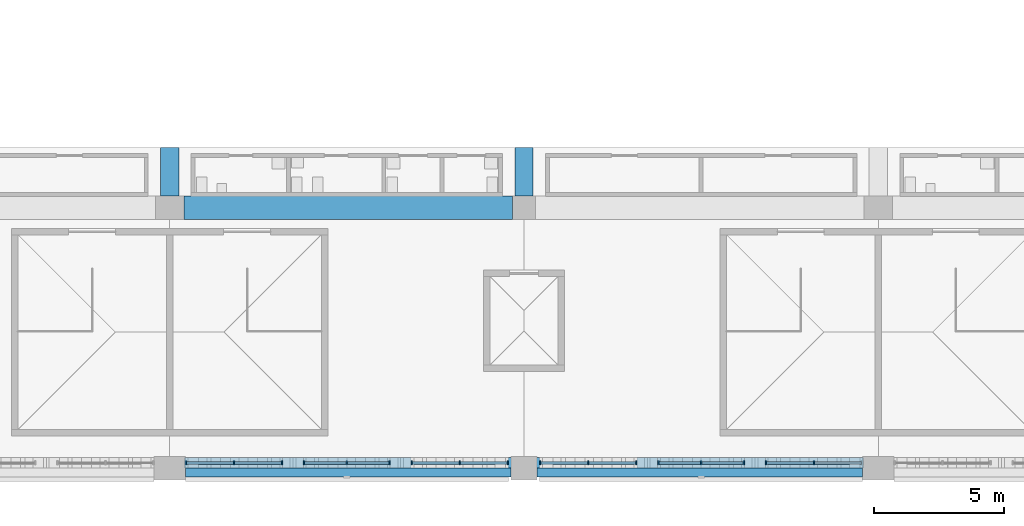
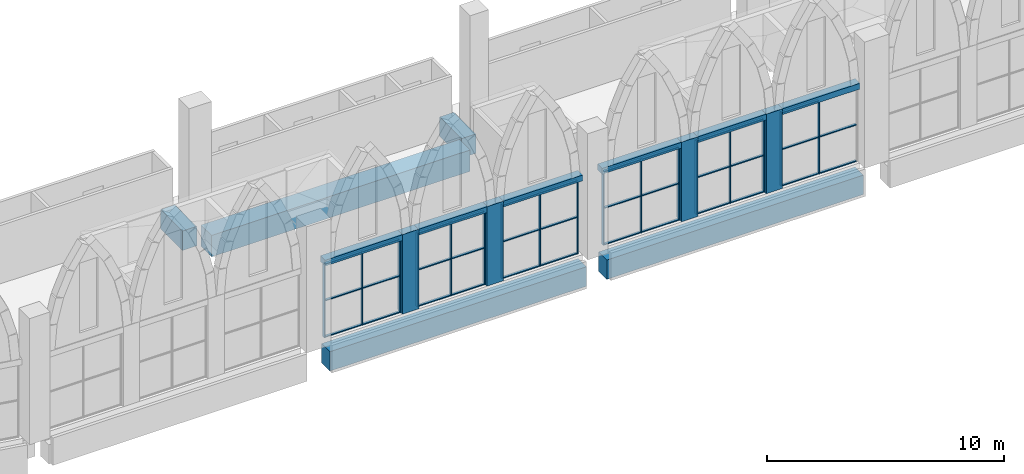
# One storey, part 9 of 130: 56 members, 11 beams, 6 elements without a shape of their own.
"""IFC4 building model written with IfcOpenShell, lengths in metres."""

import ifcopenshell
import ifcopenshell.guid

model = None  # the IFC model being written
_history = None  # IfcOwnerHistory: only IFC2X3 demands one
_inside = {}  # id of a spatial element -> (the spatial element, [elements in it])
_under = {}  # id of a project, library or spatial element -> (it, [spatial elements below it])
_declared = {}  # id of a project -> (the project, [libraries it declares])
_typed = {}  # id of a type object -> (the type object, [elements of that type])
_made_of = {}  # id of a material, layer set ... -> (it, [elements and type objects made of it])


def new_model(schema):
    """Start an empty IFC model of exactly this schema.

    Asked for "IFC4X3", IfcOpenShell would pick the latest addendum, in which some entities
    have other attributes; the version numbers below select the first issue.
    IFC2X3 requires an IfcOwnerHistory on every rooted entity: one is made here for all.
    """
    global model, _history
    if schema == "IFC4X3":
        model = ifcopenshell.file(schema_version=(4, 3, 0, 0))
    else:
        model = ifcopenshell.file(schema=schema)
    _inside.clear()
    _under.clear()
    _declared.clear()
    _typed.clear()
    _made_of.clear()
    _history = None
    if model.schema == "IFC2X3":
        org = make("IfcOrganization", Name="unknown")
        user = make(
            "IfcPersonAndOrganization",
            ThePerson=make("IfcPerson", FamilyName="unknown"),
            TheOrganization=org,
        )
        app = make(
            "IfcApplication",
            ApplicationDeveloper=org,
            Version="unknown",
            ApplicationFullName="unknown",
            ApplicationIdentifier="unknown",
        )
        _history = make(
            "IfcOwnerHistory",
            OwningUser=user,
            OwningApplication=app,
            ChangeAction="ADDED",
            CreationDate=0,
        )
    return model


def make(cls, **values):
    """One entity of the class cls with the attributes given. An attribute that is None is left unset."""
    return model.create_entity(
        cls, **{name: value for name, value in values.items() if value is not None}
    )


def rooted(cls, **values):
    """An entity with a GlobalId (a new one), such as an element, a storey or a relation."""
    return make(cls, GlobalId=ifcopenshell.guid.new(), OwnerHistory=_history, **values)


def si_unit(unit_type, name, prefix=None):
    """IfcSIUnit, for example si_unit("LENGTHUNIT", "METRE", prefix="MILLI")."""
    return make("IfcSIUnit", UnitType=unit_type, Prefix=prefix, Name=name)


def assignment(units):
    """IfcUnitAssignment: the units of a project."""
    return None if units is None else make("IfcUnitAssignment", Units=units)


def point(xyz):
    """IfcCartesianPoint."""
    return None if xyz is None else make("IfcCartesianPoint", Coordinates=xyz)


def direction(xyz):
    """IfcDirection."""
    return None if xyz is None else make("IfcDirection", DirectionRatios=xyz)


def frame(location, z_axis=None, x_axis=None):
    """IfcAxis2Placement3D, a coordinate frame: its origin and axes. An axis left out is left unset."""
    return make(
        "IfcAxis2Placement3D",
        Location=point(location),
        Axis=direction(z_axis),
        RefDirection=direction(x_axis),
    )


def frame_2d(location, x_axis=None):
    """IfcAxis2Placement2D, a coordinate frame in the plane: its origin and x axis."""
    return make(
        "IfcAxis2Placement2D", Location=point(location), RefDirection=direction(x_axis)
    )


def origin():
    """The frame at (0, 0, 0) with its axes left unset."""
    return frame((0.0, 0.0, 0.0))


def origin_2d():
    """The frame at (0, 0) in the plane with its x axis left unset."""
    return frame_2d((0.0, 0.0))


def place(relative_to, where):
    """IfcLocalPlacement: puts the frame where relative to a parent placement (None: the world)."""
    return make(
        "IfcLocalPlacement", PlacementRelTo=relative_to, RelativePlacement=where
    )


def context(
    kind, dimensions, precision=None, world=None, true_north=None, identifier=None
):
    """IfcGeometricRepresentationContext, for example the 3D "Model" context."""
    return make(
        "IfcGeometricRepresentationContext",
        ContextIdentifier=identifier,
        ContextType=kind,
        CoordinateSpaceDimension=dimensions,
        Precision=precision,
        WorldCoordinateSystem=world,
        TrueNorth=true_north,
    )


def subcontext(parent, identifier, kind, view, scale=None):
    """IfcGeometricRepresentationSubContext, for example "Body" below "Model"."""
    return make(
        "IfcGeometricRepresentationSubContext",
        ContextIdentifier=identifier,
        ContextType=kind,
        ParentContext=parent,
        TargetScale=scale,
        TargetView=view,
    )


def project(units=None, contexts=None):
    """IfcProject with its units and contexts."""
    return rooted(
        "IfcProject",
        Name="project",
        RepresentationContexts=contexts,
        UnitsInContext=assignment(units),
    )


def spatial(cls, under=None, at=None, **own):
    """A site, building, storey or space (cls), placed at a placement, below another one or the project."""
    s = rooted(cls, ObjectPlacement=at, **own)
    if under is not None:
        _under.setdefault(under.id(), (under, []))[1].append(s)
    return s


def profile(cls, at=None, kind="AREA", **sizes):
    """A parametric profile (cls). Its sizes go by their IFC names, for example OverallWidth=200.0."""
    return make(cls, ProfileType=kind, Position=at, **sizes)


def rectangle(**sizes):
    """IfcRectangleProfileDef."""
    return profile("IfcRectangleProfileDef", **sizes)


def extrude(swept, where, along, depth):
    """IfcExtrudedAreaSolid: the profile swept, set in the frame where, extruded along a direction by depth."""
    return make(
        "IfcExtrudedAreaSolid",
        SweptArea=swept,
        Position=where,
        ExtrudedDirection=direction(along),
        Depth=depth,
    )


def shape(context_of_items, identifier, shape_type, items):
    """IfcShapeRepresentation: the items that make up one representation, for example the "Body"."""
    return make(
        "IfcShapeRepresentation",
        ContextOfItems=context_of_items,
        RepresentationIdentifier=identifier,
        RepresentationType=shape_type,
        Items=items,
    )


def material(Name=None, Category=None):
    """IfcMaterial."""
    return make("IfcMaterial", Name=Name, Category=Category)


def material_profile(
    of_material, cross_section, Name=None, Category=None, Priority=None
):
    """IfcMaterialProfile: a cross section and its material."""
    return make(
        "IfcMaterialProfile",
        Name=Name,
        Material=of_material,
        Profile=cross_section,
        Priority=Priority,
        Category=Category,
    )


def profile_set(profiles, Name=None, composite=None):
    """IfcMaterialProfileSet."""
    return make(
        "IfcMaterialProfileSet",
        Name=Name,
        MaterialProfiles=profiles,
        CompositeProfile=composite,
    )


def made_of(thing, what):
    """Note that an element or type object is made of a material, layer set ...; save() writes the relation."""
    if what is not None:
        _made_of.setdefault(what.id(), (what, []))[1].append(thing)
    return thing


def type_object(cls, material=None, **own):
    """A type object (cls), such as IfcWallType, which elements share."""
    return made_of(rooted(cls, **own), material)


def element(
    cls,
    number,
    at=None,
    inside=None,
    cuts=None,
    type_object=None,
    material=None,
    context=None,
    identifier="Body",
    shape_type=None,
    held_by="IfcProductDefinitionShape",
    body=None,
    shapes=None,
    **own,
):
    """One element of the class cls, such as IfcWall. Its Tag is "e" and its number.

    at: its placement. inside: the storey or other place that contains it. cuts: it is an
    opening in that element (IfcRelVoidsElement). A single representation is given by context,
    identifier, shape_type and body (its items); several are given by shapes. held_by: the class
    of the entity that holds the representations. save() writes the other relations.
    """
    e = rooted(cls, Tag="e%d" % number, ObjectPlacement=at, **own)
    if body is not None:
        shapes = [shape(context, identifier, shape_type, body)]
    if shapes is not None:
        e.Representation = make(held_by, Representations=shapes)
    if inside is not None:
        _inside.setdefault(inside.id(), (inside, []))[1].append(e)
    if cuts is not None:
        rooted(
            "IfcRelVoidsElement", RelatingBuildingElement=cuts, RelatedOpeningElement=e
        )
    if type_object is not None:
        _typed.setdefault(type_object.id(), (type_object, []))[1].append(e)
    return made_of(e, material)


def aggregate(whole, parts):
    """IfcRelAggregates: a whole, such as a stair, and the parts it consists of."""
    return rooted("IfcRelAggregates", RelatingObject=whole, RelatedObjects=parts)


def save(model, path):
    """Write the relations noted so far, then the file.

    IfcRelAggregates (storeys below a building ...), IfcRelContainedInSpatialStructure (elements
    in a storey), IfcRelDefinesByType, IfcRelAssociatesMaterial and IfcRelDeclares: one each for
    every whole, place, type object, material and project.
    """
    for whole, parts in _under.values():
        aggregate(whole, parts)
    for where, things in _inside.values():
        rooted(
            "IfcRelContainedInSpatialStructure",
            RelatedElements=things,
            RelatingStructure=where,
        )
    for kind, things in _typed.values():
        rooted("IfcRelDefinesByType", RelatedObjects=things, RelatingType=kind)
    for what, things in _made_of.values():
        rooted("IfcRelAssociatesMaterial", RelatedObjects=things, RelatingMaterial=what)
    for by, libraries in _declared.values():
        rooted("IfcRelDeclares", RelatingContext=by, RelatedDefinitions=libraries)
    model.write(path)


model = new_model("IFC4")

# Units and contexts
model_context = context("Model", 3, precision=1e-05, world=origin(), true_north=direction((0.0, 1.0)))
body_context = subcontext(model_context, "Body", "Model", "MODEL_VIEW")
ifc_project = project(units=[si_unit("LENGTHUNIT", "METRE"), si_unit("AREAUNIT", "SQUARE_METRE"), si_unit("VOLUMEUNIT", "CUBIC_METRE"), si_unit("PLANEANGLEUNIT", "RADIAN"), si_unit("MASSUNIT", "GRAM", prefix="KILO")], contexts=[model_context])

# Site, building, storey
site_placement = place(None, origin())
site = spatial("IfcSite", under=ifc_project, at=site_placement, CompositionType="ELEMENT")
building_placement = place(site_placement, origin())
building = spatial("IfcBuilding", under=site, at=building_placement, Name="Ogive Plaza Stadium", CompositionType="ELEMENT")
storey_placement = place(building_placement, frame((0.0, 0.0, 22.5)))
storey = spatial("IfcBuildingStorey", under=building, at=storey_placement, Name="L05", CompositionType="ELEMENT", Elevation=22.5)

# Curtain wall, members
ifc_material_1 = material(Name="Bronze-anodised aluminium with laminated glass", Category="aluminium")
curtain_wall_type = type_object("IfcCurtainWallType", Name="Lancet curtain wall", PredefinedType="NOTDEFINED", material=ifc_material_1)
curtain_wall_1_placement = place(storey_placement, origin())
curtain_wall_1 = element("IfcCurtainWall", 1, at=curtain_wall_1_placement, inside=storey, type_object=curtain_wall_type, Name="CURTAIN WALL B14 L05", PredefinedType="NOTDEFINED")
ifc_material_2 = material(Name="Bronze-anodised aluminium", Category="aluminium")
ifc_material_profile_1 = material_profile(ifc_material_2, rectangle(XDim=0.14990234375, YDim=0.050048828125, at=origin_2d()), Name="AL 150x50")
ifc_profile_set_1 = profile_set([ifc_material_profile_1], Name="Bronze-anodised aluminium")
member_type_1 = type_object("IfcMemberType", Name="Curtain wall mullion 50x150", PredefinedType="MULLION", material=ifc_profile_set_1)
member_1_placement = place(storey_placement, frame((4.333251953125, -102.300048828125, 0.0), z_axis=(0.0, 0.0, 1.0), x_axis=(0.0, -1.0, 0.0)))
member_1 = element("IfcMember", 2, at=member_1_placement, type_object=member_type_1, Name="CW-B14-L05.1 mullion 2", PredefinedType="MULLION", context=body_context, shape_type="SweptSolid", body=[
    extrude(rectangle(XDim=0.14990234375, YDim=0.050048828125, at=origin_2d()), origin(), (0.0, 0.0, 1.0), 3.800048828125),
])
member_2_placement = place(storey_placement, frame((2.49169921875, -102.300048828125, 0.0), z_axis=(0.0, 0.0, 1.0), x_axis=(0.0, -1.0, 0.0)))
member_2 = element("IfcMember", 3, at=member_2_placement, type_object=member_type_1, Name="CW-B14-L05.1 mullion 3", PredefinedType="MULLION", context=body_context, shape_type="SweptSolid", body=[
    extrude(rectangle(XDim=0.14990234375, YDim=0.050048828125, at=origin_2d()), origin(), (0.0, 0.0, 1.0), 3.800048828125),
])

curtain_wall_2_placement = place(storey_placement, origin())
curtain_wall_2 = element("IfcCurtainWall", 4, at=curtain_wall_2_placement, inside=storey, type_object=curtain_wall_type, Name="CURTAIN WALL B14 L05", PredefinedType="NOTDEFINED")
member_3_placement = place(storey_placement, frame((1.6416015625, -102.300048828125, 0.0), z_axis=(0.0, 0.0, 1.0), x_axis=(0.0, -1.0, 0.0)))
member_3 = element("IfcMember", 5, at=member_3_placement, type_object=member_type_1, Name="CW-B14-L05.2 mullion 1", PredefinedType="MULLION", context=body_context, shape_type="SweptSolid", body=[
    extrude(rectangle(XDim=0.14990234375, YDim=0.050048828125, at=origin_2d()), origin(), (0.0, 0.0, 1.0), 3.800048828125),
])
member_4_placement = place(storey_placement, frame((0.0, -102.300048828125, 0.0), z_axis=(0.0, 0.0, 1.0), x_axis=(0.0, -1.0, 0.0)))
member_4 = element("IfcMember", 6, at=member_4_placement, type_object=member_type_1, Name="CW-B14-L05.2 mullion 2", PredefinedType="MULLION", context=body_context, shape_type="SweptSolid", body=[
    extrude(rectangle(XDim=0.14990234375, YDim=0.050048828125, at=origin_2d()), origin(), (0.0, 0.0, 1.0), 3.800048828125),
])
member_5_placement = place(storey_placement, frame((-1.6416015625, -102.300048828125, 0.0), z_axis=(0.0, 0.0, 1.0), x_axis=(0.0, -1.0, 0.0)))
member_5 = element("IfcMember", 7, at=member_5_placement, type_object=member_type_1, Name="CW-B14-L05.2 mullion 3", PredefinedType="MULLION", context=body_context, shape_type="SweptSolid", body=[
    extrude(rectangle(XDim=0.14990234375, YDim=0.050048828125, at=origin_2d()), origin(), (0.0, 0.0, 1.0), 3.800048828125),
])

curtain_wall_3_placement = place(storey_placement, origin())
curtain_wall_3 = element("IfcCurtainWall", 8, at=curtain_wall_3_placement, inside=storey, type_object=curtain_wall_type, Name="CURTAIN WALL B14 L05", PredefinedType="NOTDEFINED")
member_6_placement = place(storey_placement, frame((-2.49169921875, -102.300048828125, 0.0), z_axis=(0.0, 0.0, 1.0), x_axis=(0.0, -1.0, 0.0)))
member_6 = element("IfcMember", 9, at=member_6_placement, type_object=member_type_1, Name="CW-B14-L05.3 mullion 1", PredefinedType="MULLION", context=body_context, shape_type="SweptSolid", body=[
    extrude(rectangle(XDim=0.14990234375, YDim=0.050048828125, at=origin_2d()), origin(), (0.0, 0.0, 1.0), 3.800048828125),
])
member_7_placement = place(storey_placement, frame((-4.333251953125, -102.300048828125, 0.0), z_axis=(0.0, 0.0, 1.0), x_axis=(0.0, -1.0, 0.0)))
member_7 = element("IfcMember", 10, at=member_7_placement, type_object=member_type_1, Name="CW-B14-L05.3 mullion 2", PredefinedType="MULLION", context=body_context, shape_type="SweptSolid", body=[
    extrude(rectangle(XDim=0.14990234375, YDim=0.050048828125, at=origin_2d()), origin(), (0.0, 0.0, 1.0), 3.800048828125),
])
member_8_placement = place(storey_placement, frame((-6.175048828125, -102.300048828125, 0.0), z_axis=(0.0, 0.0, 1.0), x_axis=(0.0, -1.0, 0.0)))
member_8 = element("IfcMember", 11, at=member_8_placement, type_object=member_type_1, Name="CW-B14-L05.3 mullion 3", PredefinedType="MULLION", context=body_context, shape_type="SweptSolid", body=[
    extrude(rectangle(XDim=0.14990234375, YDim=0.050048828125, at=origin_2d()), origin(), (0.0, 0.0, 1.0), 3.800048828125),
])

curtain_wall_4_placement = place(storey_placement, origin())
curtain_wall_4 = element("IfcCurtainWall", 12, at=curtain_wall_4_placement, inside=storey, type_object=curtain_wall_type, Name="CURTAIN WALL B15 L05", PredefinedType="NOTDEFINED")
member_9_placement = place(storey_placement, frame((-7.425048828125, -102.300048828125, 0.0), z_axis=(0.0, 0.0, 1.0), x_axis=(0.0, -1.0, 0.0)))
member_9 = element("IfcMember", 13, at=member_9_placement, type_object=member_type_1, Name="CW-B15-L05.1 mullion 1", PredefinedType="MULLION", context=body_context, shape_type="SweptSolid", body=[
    extrude(rectangle(XDim=0.14990234375, YDim=0.050048828125, at=origin_2d()), origin(), (0.0, 0.0, 1.0), 3.800048828125),
])
member_10_placement = place(storey_placement, frame((-9.2666015625, -102.300048828125, 0.0), z_axis=(0.0, 0.0, 1.0), x_axis=(0.0, -1.0, 0.0)))
member_10 = element("IfcMember", 14, at=member_10_placement, type_object=member_type_1, Name="CW-B15-L05.1 mullion 2", PredefinedType="MULLION", context=body_context, shape_type="SweptSolid", body=[
    extrude(rectangle(XDim=0.14990234375, YDim=0.050048828125, at=origin_2d()), origin(), (0.0, 0.0, 1.0), 3.800048828125),
])
member_11_placement = place(storey_placement, frame((-11.1083984375, -102.300048828125, 0.0), z_axis=(0.0, 0.0, 1.0), x_axis=(0.0, -1.0, 0.0)))
member_11 = element("IfcMember", 15, at=member_11_placement, type_object=member_type_1, Name="CW-B15-L05.1 mullion 3", PredefinedType="MULLION", context=body_context, shape_type="SweptSolid", body=[
    extrude(rectangle(XDim=0.14990234375, YDim=0.050048828125, at=origin_2d()), origin(), (0.0, 0.0, 1.0), 3.800048828125),
])

curtain_wall_5_placement = place(storey_placement, origin())
curtain_wall_5 = element("IfcCurtainWall", 16, at=curtain_wall_5_placement, inside=storey, type_object=curtain_wall_type, Name="CURTAIN WALL B15 L05", PredefinedType="NOTDEFINED")
member_12_placement = place(storey_placement, frame((-11.958251953125, -102.300048828125, 0.0), z_axis=(0.0, 0.0, 1.0), x_axis=(0.0, -1.0, 0.0)))
member_12 = element("IfcMember", 17, at=member_12_placement, type_object=member_type_1, Name="CW-B15-L05.2 mullion 1", PredefinedType="MULLION", context=body_context, shape_type="SweptSolid", body=[
    extrude(rectangle(XDim=0.14990234375, YDim=0.050048828125, at=origin_2d()), origin(), (0.0, 0.0, 1.0), 3.800048828125),
])
member_13_placement = place(storey_placement, frame((-13.60009765625, -102.300048828125, 0.0), z_axis=(0.0, 0.0, 1.0), x_axis=(0.0, -1.0, 0.0)))
member_13 = element("IfcMember", 18, at=member_13_placement, type_object=member_type_1, Name="CW-B15-L05.2 mullion 2", PredefinedType="MULLION", context=body_context, shape_type="SweptSolid", body=[
    extrude(rectangle(XDim=0.14990234375, YDim=0.050048828125, at=origin_2d()), origin(), (0.0, 0.0, 1.0), 3.800048828125),
])
member_14_placement = place(storey_placement, frame((-15.24169921875, -102.300048828125, 0.0), z_axis=(0.0, 0.0, 1.0), x_axis=(0.0, -1.0, 0.0)))
member_14 = element("IfcMember", 19, at=member_14_placement, type_object=member_type_1, Name="CW-B15-L05.2 mullion 3", PredefinedType="MULLION", context=body_context, shape_type="SweptSolid", body=[
    extrude(rectangle(XDim=0.14990234375, YDim=0.050048828125, at=origin_2d()), origin(), (0.0, 0.0, 1.0), 3.800048828125),
])

curtain_wall_6_placement = place(storey_placement, origin())
curtain_wall_6 = element("IfcCurtainWall", 20, at=curtain_wall_6_placement, inside=storey, type_object=curtain_wall_type, Name="CURTAIN WALL B15 L05", PredefinedType="NOTDEFINED")
member_15_placement = place(storey_placement, frame((-16.091552734375, -102.300048828125, 0.0), z_axis=(0.0, 0.0, 1.0), x_axis=(0.0, -1.0, 0.0)))
member_15 = element("IfcMember", 21, at=member_15_placement, type_object=member_type_1, Name="CW-B15-L05.3 mullion 1", PredefinedType="MULLION", context=body_context, shape_type="SweptSolid", body=[
    extrude(rectangle(XDim=0.14990234375, YDim=0.050048828125, at=origin_2d()), origin(), (0.0, 0.0, 1.0), 3.800048828125),
])
member_16_placement = place(storey_placement, frame((-17.933349609375, -102.300048828125, 0.0), z_axis=(0.0, 0.0, 1.0), x_axis=(0.0, -1.0, 0.0)))
member_16 = element("IfcMember", 22, at=member_16_placement, type_object=member_type_1, Name="CW-B15-L05.3 mullion 2", PredefinedType="MULLION", context=body_context, shape_type="SweptSolid", body=[
    extrude(rectangle(XDim=0.14990234375, YDim=0.050048828125, at=origin_2d()), origin(), (0.0, 0.0, 1.0), 3.800048828125),
])
member_17_placement = place(storey_placement, frame((-19.77490234375, -102.300048828125, 0.0), z_axis=(0.0, 0.0, 1.0), x_axis=(0.0, -1.0, 0.0)))
member_17 = element("IfcMember", 23, at=member_17_placement, type_object=member_type_1, Name="CW-B15-L05.3 mullion 3", PredefinedType="MULLION", context=body_context, shape_type="SweptSolid", body=[
    extrude(rectangle(XDim=0.14990234375, YDim=0.050048828125, at=origin_2d()), origin(), (0.0, 0.0, 1.0), 3.800048828125),
])

# Member
ifc_material_3 = material(Name="Bronze-anodised aluminium", Category="aluminium")
ifc_material_profile_2 = material_profile(ifc_material_3, rectangle(XDim=0.1201171875, YDim=0.050048828125, at=origin_2d()), Name="AL 120x50")
ifc_profile_set_2 = profile_set([ifc_material_profile_2], Name="Bronze-anodised aluminium")
member_type_2 = type_object("IfcMemberType", Name="Curtain wall transom 50x120", PredefinedType="USERDEFINED", material=ifc_profile_set_2)
member_18_placement = place(storey_placement, frame((6.14990234375, -102.300048828125, 0.02490234375), z_axis=(-1.0, 0.0, 0.0), x_axis=(0.0, -1.0, 0.0)))
member_18 = element("IfcMember", 24, at=member_18_placement, type_object=member_type_2, Name="CW-B14-L05.1 transom 1.1", ObjectType="TRANSOM", PredefinedType="USERDEFINED", context=body_context, shape_type="SweptSolid", body=[
    extrude(rectangle(XDim=0.1201171875, YDim=0.050048828125, at=origin_2d()), origin(), (0.0, 0.0, 1.0), 1.79150390625),
])

member_19_placement = place(storey_placement, frame((6.14990234375, -102.300048828125, 1.89990234375), z_axis=(-1.0, 0.0, 0.0), x_axis=(0.0, -1.0, 0.0)))
member_19 = element("IfcMember", 25, at=member_19_placement, type_object=member_type_2, Name="CW-B14-L05.1 transom 1.2", ObjectType="TRANSOM", PredefinedType="USERDEFINED", context=body_context, shape_type="SweptSolid", body=[
    extrude(rectangle(XDim=0.1201171875, YDim=0.050048828125, at=origin_2d()), origin(), (0.0, 0.0, 1.0), 1.79150390625),
])

member_20_placement = place(storey_placement, frame((4.308349609375, -102.300048828125, 0.02490234375), z_axis=(-1.0, 0.0, 0.0), x_axis=(0.0, -1.0, 0.0)))
member_20 = element("IfcMember", 26, at=member_20_placement, type_object=member_type_2, Name="CW-B14-L05.1 transom 2.1", ObjectType="TRANSOM", PredefinedType="USERDEFINED", context=body_context, shape_type="SweptSolid", body=[
    extrude(rectangle(XDim=0.1201171875, YDim=0.050048828125, at=origin_2d()), origin(), (0.0, 0.0, 1.0), 1.791748046875),
])

member_21_placement = place(storey_placement, frame((4.308349609375, -102.300048828125, 1.89990234375), z_axis=(-1.0, 0.0, 0.0), x_axis=(0.0, -1.0, 0.0)))
member_21 = element("IfcMember", 27, at=member_21_placement, type_object=member_type_2, Name="CW-B14-L05.1 transom 2.2", ObjectType="TRANSOM", PredefinedType="USERDEFINED", context=body_context, shape_type="SweptSolid", body=[
    extrude(rectangle(XDim=0.1201171875, YDim=0.050048828125, at=origin_2d()), origin(), (0.0, 0.0, 1.0), 1.791748046875),
])

member_22_placement = place(storey_placement, frame((4.308349609375, -102.300048828125, 3.77490234375), z_axis=(-1.0, 0.0, 0.0), x_axis=(0.0, -1.0, 0.0)))
member_22 = element("IfcMember", 28, at=member_22_placement, type_object=member_type_2, Name="CW-B14-L05.1 transom 2.3", ObjectType="TRANSOM", PredefinedType="USERDEFINED", context=body_context, shape_type="SweptSolid", body=[
    extrude(rectangle(XDim=0.1201171875, YDim=0.050048828125, at=origin_2d()), origin(), (0.0, 0.0, 1.0), 1.791748046875),
])

aggregate(curtain_wall_1, [member_1, member_2, member_18, member_19, member_20, member_21, member_22])

member_23_placement = place(storey_placement, frame((1.61669921875, -102.300048828125, 0.02490234375), z_axis=(-1.0, 0.0, 0.0), x_axis=(0.0, -1.0, 0.0)))
member_23 = element("IfcMember", 29, at=member_23_placement, type_object=member_type_2, Name="CW-B14-L05.2 transom 1.1", ObjectType="TRANSOM", PredefinedType="USERDEFINED", context=body_context, shape_type="SweptSolid", body=[
    extrude(rectangle(XDim=0.1201171875, YDim=0.050048828125, at=origin_2d()), origin(), (0.0, 0.0, 1.0), 1.591796875),
])

member_24_placement = place(storey_placement, frame((1.61669921875, -102.300048828125, 1.89990234375), z_axis=(-1.0, 0.0, 0.0), x_axis=(0.0, -1.0, 0.0)))
member_24 = element("IfcMember", 30, at=member_24_placement, type_object=member_type_2, Name="CW-B14-L05.2 transom 1.2", ObjectType="TRANSOM", PredefinedType="USERDEFINED", context=body_context, shape_type="SweptSolid", body=[
    extrude(rectangle(XDim=0.1201171875, YDim=0.050048828125, at=origin_2d()), origin(), (0.0, 0.0, 1.0), 1.591796875),
])

member_25_placement = place(storey_placement, frame((1.61669921875, -102.300048828125, 3.77490234375), z_axis=(-1.0, 0.0, 0.0), x_axis=(0.0, -1.0, 0.0)))
member_25 = element("IfcMember", 31, at=member_25_placement, type_object=member_type_2, Name="CW-B14-L05.2 transom 1.3", ObjectType="TRANSOM", PredefinedType="USERDEFINED", context=body_context, shape_type="SweptSolid", body=[
    extrude(rectangle(XDim=0.1201171875, YDim=0.050048828125, at=origin_2d()), origin(), (0.0, 0.0, 1.0), 1.591796875),
])

member_26_placement = place(storey_placement, frame((-0.02490234375, -102.300048828125, 0.02490234375), z_axis=(-1.0, 0.0, 0.0), x_axis=(0.0, -1.0, 0.0)))
member_26 = element("IfcMember", 32, at=member_26_placement, type_object=member_type_2, Name="CW-B14-L05.2 transom 2.1", ObjectType="TRANSOM", PredefinedType="USERDEFINED", context=body_context, shape_type="SweptSolid", body=[
    extrude(rectangle(XDim=0.1201171875, YDim=0.050048828125, at=origin_2d()), origin(), (0.0, 0.0, 1.0), 1.591796875),
])

member_27_placement = place(storey_placement, frame((-0.02490234375, -102.300048828125, 1.89990234375), z_axis=(-1.0, 0.0, 0.0), x_axis=(0.0, -1.0, 0.0)))
member_27 = element("IfcMember", 33, at=member_27_placement, type_object=member_type_2, Name="CW-B14-L05.2 transom 2.2", ObjectType="TRANSOM", PredefinedType="USERDEFINED", context=body_context, shape_type="SweptSolid", body=[
    extrude(rectangle(XDim=0.1201171875, YDim=0.050048828125, at=origin_2d()), origin(), (0.0, 0.0, 1.0), 1.591796875),
])

member_28_placement = place(storey_placement, frame((-0.02490234375, -102.300048828125, 3.77490234375), z_axis=(-1.0, 0.0, 0.0), x_axis=(0.0, -1.0, 0.0)))
member_28 = element("IfcMember", 34, at=member_28_placement, type_object=member_type_2, Name="CW-B14-L05.2 transom 2.3", ObjectType="TRANSOM", PredefinedType="USERDEFINED", context=body_context, shape_type="SweptSolid", body=[
    extrude(rectangle(XDim=0.1201171875, YDim=0.050048828125, at=origin_2d()), origin(), (0.0, 0.0, 1.0), 1.591796875),
])

aggregate(curtain_wall_2, [member_3, member_4, member_5, member_23, member_24, member_25, member_26, member_27, member_28])

member_29_placement = place(storey_placement, frame((-2.5166015625, -102.300048828125, 0.02490234375), z_axis=(-1.0, 0.0, 0.0), x_axis=(0.0, -1.0, 0.0)))
member_29 = element("IfcMember", 35, at=member_29_placement, type_object=member_type_2, Name="CW-B14-L05.3 transom 1.1", ObjectType="TRANSOM", PredefinedType="USERDEFINED", context=body_context, shape_type="SweptSolid", body=[
    extrude(rectangle(XDim=0.1201171875, YDim=0.050048828125, at=origin_2d()), origin(), (0.0, 0.0, 1.0), 1.791748046875),
])

member_30_placement = place(storey_placement, frame((-2.5166015625, -102.300048828125, 1.89990234375), z_axis=(-1.0, 0.0, 0.0), x_axis=(0.0, -1.0, 0.0)))
member_30 = element("IfcMember", 36, at=member_30_placement, type_object=member_type_2, Name="CW-B14-L05.3 transom 1.2", ObjectType="TRANSOM", PredefinedType="USERDEFINED", context=body_context, shape_type="SweptSolid", body=[
    extrude(rectangle(XDim=0.1201171875, YDim=0.050048828125, at=origin_2d()), origin(), (0.0, 0.0, 1.0), 1.791748046875),
])

member_31_placement = place(storey_placement, frame((-2.5166015625, -102.300048828125, 3.77490234375), z_axis=(-1.0, 0.0, 0.0), x_axis=(0.0, -1.0, 0.0)))
member_31 = element("IfcMember", 37, at=member_31_placement, type_object=member_type_2, Name="CW-B14-L05.3 transom 1.3", ObjectType="TRANSOM", PredefinedType="USERDEFINED", context=body_context, shape_type="SweptSolid", body=[
    extrude(rectangle(XDim=0.1201171875, YDim=0.050048828125, at=origin_2d()), origin(), (0.0, 0.0, 1.0), 1.791748046875),
])

member_32_placement = place(storey_placement, frame((-4.3583984375, -102.300048828125, 0.02490234375), z_axis=(-1.0, 0.0, 0.0), x_axis=(0.0, -1.0, 0.0)))
member_32 = element("IfcMember", 38, at=member_32_placement, type_object=member_type_2, Name="CW-B14-L05.3 transom 2.1", ObjectType="TRANSOM", PredefinedType="USERDEFINED", context=body_context, shape_type="SweptSolid", body=[
    extrude(rectangle(XDim=0.1201171875, YDim=0.050048828125, at=origin_2d()), origin(), (0.0, 0.0, 1.0), 1.79150390625),
])

member_33_placement = place(storey_placement, frame((-4.3583984375, -102.300048828125, 1.89990234375), z_axis=(-1.0, 0.0, 0.0), x_axis=(0.0, -1.0, 0.0)))
member_33 = element("IfcMember", 39, at=member_33_placement, type_object=member_type_2, Name="CW-B14-L05.3 transom 2.2", ObjectType="TRANSOM", PredefinedType="USERDEFINED", context=body_context, shape_type="SweptSolid", body=[
    extrude(rectangle(XDim=0.1201171875, YDim=0.050048828125, at=origin_2d()), origin(), (0.0, 0.0, 1.0), 1.79150390625),
])

member_34_placement = place(storey_placement, frame((-4.3583984375, -102.300048828125, 3.77490234375), z_axis=(-1.0, 0.0, 0.0), x_axis=(0.0, -1.0, 0.0)))
member_34 = element("IfcMember", 40, at=member_34_placement, type_object=member_type_2, Name="CW-B14-L05.3 transom 2.3", ObjectType="TRANSOM", PredefinedType="USERDEFINED", context=body_context, shape_type="SweptSolid", body=[
    extrude(rectangle(XDim=0.1201171875, YDim=0.050048828125, at=origin_2d()), origin(), (0.0, 0.0, 1.0), 1.79150390625),
])

aggregate(curtain_wall_3, [member_6, member_7, member_8, member_29, member_30, member_31, member_32, member_33, member_34])

member_35_placement = place(storey_placement, frame((-7.449951171875, -102.300048828125, 0.02490234375), z_axis=(-1.0, 0.0, 0.0), x_axis=(0.0, -1.0, 0.0)))
member_35 = element("IfcMember", 41, at=member_35_placement, type_object=member_type_2, Name="CW-B15-L05.1 transom 1.1", ObjectType="TRANSOM", PredefinedType="USERDEFINED", context=body_context, shape_type="SweptSolid", body=[
    extrude(rectangle(XDim=0.1201171875, YDim=0.050048828125, at=origin_2d()), origin(), (0.0, 0.0, 1.0), 1.791748046875),
])

member_36_placement = place(storey_placement, frame((-7.449951171875, -102.300048828125, 1.89990234375), z_axis=(-1.0, 0.0, 0.0), x_axis=(0.0, -1.0, 0.0)))
member_36 = element("IfcMember", 42, at=member_36_placement, type_object=member_type_2, Name="CW-B15-L05.1 transom 1.2", ObjectType="TRANSOM", PredefinedType="USERDEFINED", context=body_context, shape_type="SweptSolid", body=[
    extrude(rectangle(XDim=0.1201171875, YDim=0.050048828125, at=origin_2d()), origin(), (0.0, 0.0, 1.0), 1.791748046875),
])

member_37_placement = place(storey_placement, frame((-7.449951171875, -102.300048828125, 3.77490234375), z_axis=(-1.0, 0.0, 0.0), x_axis=(0.0, -1.0, 0.0)))
member_37 = element("IfcMember", 43, at=member_37_placement, type_object=member_type_2, Name="CW-B15-L05.1 transom 1.3", ObjectType="TRANSOM", PredefinedType="USERDEFINED", context=body_context, shape_type="SweptSolid", body=[
    extrude(rectangle(XDim=0.1201171875, YDim=0.050048828125, at=origin_2d()), origin(), (0.0, 0.0, 1.0), 1.791748046875),
])

member_38_placement = place(storey_placement, frame((-9.291748046875, -102.300048828125, 0.02490234375), z_axis=(-1.0, 0.0, 0.0), x_axis=(0.0, -1.0, 0.0)))
member_38 = element("IfcMember", 44, at=member_38_placement, type_object=member_type_2, Name="CW-B15-L05.1 transom 2.1", ObjectType="TRANSOM", PredefinedType="USERDEFINED", context=body_context, shape_type="SweptSolid", body=[
    extrude(rectangle(XDim=0.1201171875, YDim=0.050048828125, at=origin_2d()), origin(), (0.0, 0.0, 1.0), 1.79150390625),
])

member_39_placement = place(storey_placement, frame((-9.291748046875, -102.300048828125, 1.89990234375), z_axis=(-1.0, 0.0, 0.0), x_axis=(0.0, -1.0, 0.0)))
member_39 = element("IfcMember", 45, at=member_39_placement, type_object=member_type_2, Name="CW-B15-L05.1 transom 2.2", ObjectType="TRANSOM", PredefinedType="USERDEFINED", context=body_context, shape_type="SweptSolid", body=[
    extrude(rectangle(XDim=0.1201171875, YDim=0.050048828125, at=origin_2d()), origin(), (0.0, 0.0, 1.0), 1.79150390625),
])

member_40_placement = place(storey_placement, frame((-9.291748046875, -102.300048828125, 3.77490234375), z_axis=(-1.0, 0.0, 0.0), x_axis=(0.0, -1.0, 0.0)))
member_40 = element("IfcMember", 46, at=member_40_placement, type_object=member_type_2, Name="CW-B15-L05.1 transom 2.3", ObjectType="TRANSOM", PredefinedType="USERDEFINED", context=body_context, shape_type="SweptSolid", body=[
    extrude(rectangle(XDim=0.1201171875, YDim=0.050048828125, at=origin_2d()), origin(), (0.0, 0.0, 1.0), 1.79150390625),
])

aggregate(curtain_wall_4, [member_9, member_10, member_11, member_35, member_36, member_37, member_38, member_39, member_40])

member_41_placement = place(storey_placement, frame((-11.9833984375, -102.300048828125, 0.02490234375), z_axis=(-1.0, 0.0, 0.0), x_axis=(0.0, -1.0, 0.0)))
member_41 = element("IfcMember", 47, at=member_41_placement, type_object=member_type_2, Name="CW-B15-L05.2 transom 1.1", ObjectType="TRANSOM", PredefinedType="USERDEFINED", context=body_context, shape_type="SweptSolid", body=[
    extrude(rectangle(XDim=0.1201171875, YDim=0.050048828125, at=origin_2d()), origin(), (0.0, 0.0, 1.0), 1.591552734375),
])

member_42_placement = place(storey_placement, frame((-11.9833984375, -102.300048828125, 1.89990234375), z_axis=(-1.0, 0.0, 0.0), x_axis=(0.0, -1.0, 0.0)))
member_42 = element("IfcMember", 48, at=member_42_placement, type_object=member_type_2, Name="CW-B15-L05.2 transom 1.2", ObjectType="TRANSOM", PredefinedType="USERDEFINED", context=body_context, shape_type="SweptSolid", body=[
    extrude(rectangle(XDim=0.1201171875, YDim=0.050048828125, at=origin_2d()), origin(), (0.0, 0.0, 1.0), 1.591552734375),
])

member_43_placement = place(storey_placement, frame((-11.9833984375, -102.300048828125, 3.77490234375), z_axis=(-1.0, 0.0, 0.0), x_axis=(0.0, -1.0, 0.0)))
member_43 = element("IfcMember", 49, at=member_43_placement, type_object=member_type_2, Name="CW-B15-L05.2 transom 1.3", ObjectType="TRANSOM", PredefinedType="USERDEFINED", context=body_context, shape_type="SweptSolid", body=[
    extrude(rectangle(XDim=0.1201171875, YDim=0.050048828125, at=origin_2d()), origin(), (0.0, 0.0, 1.0), 1.591552734375),
])

member_44_placement = place(storey_placement, frame((-13.625, -102.300048828125, 0.02490234375), z_axis=(-1.0, 0.0, 0.0), x_axis=(0.0, -1.0, 0.0)))
member_44 = element("IfcMember", 50, at=member_44_placement, type_object=member_type_2, Name="CW-B15-L05.2 transom 2.1", ObjectType="TRANSOM", PredefinedType="USERDEFINED", context=body_context, shape_type="SweptSolid", body=[
    extrude(rectangle(XDim=0.1201171875, YDim=0.050048828125, at=origin_2d()), origin(), (0.0, 0.0, 1.0), 1.591552734375),
])

member_45_placement = place(storey_placement, frame((-13.625, -102.300048828125, 1.89990234375), z_axis=(-1.0, 0.0, 0.0), x_axis=(0.0, -1.0, 0.0)))
member_45 = element("IfcMember", 51, at=member_45_placement, type_object=member_type_2, Name="CW-B15-L05.2 transom 2.2", ObjectType="TRANSOM", PredefinedType="USERDEFINED", context=body_context, shape_type="SweptSolid", body=[
    extrude(rectangle(XDim=0.1201171875, YDim=0.050048828125, at=origin_2d()), origin(), (0.0, 0.0, 1.0), 1.591552734375),
])

member_46_placement = place(storey_placement, frame((-13.625, -102.300048828125, 3.77490234375), z_axis=(-1.0, 0.0, 0.0), x_axis=(0.0, -1.0, 0.0)))
member_46 = element("IfcMember", 52, at=member_46_placement, type_object=member_type_2, Name="CW-B15-L05.2 transom 2.3", ObjectType="TRANSOM", PredefinedType="USERDEFINED", context=body_context, shape_type="SweptSolid", body=[
    extrude(rectangle(XDim=0.1201171875, YDim=0.050048828125, at=origin_2d()), origin(), (0.0, 0.0, 1.0), 1.591552734375),
])

aggregate(curtain_wall_5, [member_12, member_13, member_14, member_41, member_42, member_43, member_44, member_45, member_46])

member_47_placement = place(storey_placement, frame((-16.11669921875, -102.300048828125, 0.02490234375), z_axis=(-1.0, 0.0, 0.0), x_axis=(0.0, -1.0, 0.0)))
member_47 = element("IfcMember", 53, at=member_47_placement, type_object=member_type_2, Name="CW-B15-L05.3 transom 1.1", ObjectType="TRANSOM", PredefinedType="USERDEFINED", context=body_context, shape_type="SweptSolid", body=[
    extrude(rectangle(XDim=0.1201171875, YDim=0.050048828125, at=origin_2d()), origin(), (0.0, 0.0, 1.0), 1.791748046875),
])

member_48_placement = place(storey_placement, frame((-16.11669921875, -102.300048828125, 1.89990234375), z_axis=(-1.0, 0.0, 0.0), x_axis=(0.0, -1.0, 0.0)))
member_48 = element("IfcMember", 54, at=member_48_placement, type_object=member_type_2, Name="CW-B15-L05.3 transom 1.2", ObjectType="TRANSOM", PredefinedType="USERDEFINED", context=body_context, shape_type="SweptSolid", body=[
    extrude(rectangle(XDim=0.1201171875, YDim=0.050048828125, at=origin_2d()), origin(), (0.0, 0.0, 1.0), 1.791748046875),
])

member_49_placement = place(storey_placement, frame((-16.11669921875, -102.300048828125, 3.77490234375), z_axis=(-1.0, 0.0, 0.0), x_axis=(0.0, -1.0, 0.0)))
member_49 = element("IfcMember", 55, at=member_49_placement, type_object=member_type_2, Name="CW-B15-L05.3 transom 1.3", ObjectType="TRANSOM", PredefinedType="USERDEFINED", context=body_context, shape_type="SweptSolid", body=[
    extrude(rectangle(XDim=0.1201171875, YDim=0.050048828125, at=origin_2d()), origin(), (0.0, 0.0, 1.0), 1.791748046875),
])

member_50_placement = place(storey_placement, frame((-17.958251953125, -102.300048828125, 0.02490234375), z_axis=(-1.0, 0.0, 0.0), x_axis=(0.0, -1.0, 0.0)))
member_50 = element("IfcMember", 56, at=member_50_placement, type_object=member_type_2, Name="CW-B15-L05.3 transom 2.1", ObjectType="TRANSOM", PredefinedType="USERDEFINED", context=body_context, shape_type="SweptSolid", body=[
    extrude(rectangle(XDim=0.1201171875, YDim=0.050048828125, at=origin_2d()), origin(), (0.0, 0.0, 1.0), 1.791748046875),
])

member_51_placement = place(storey_placement, frame((-17.958251953125, -102.300048828125, 1.89990234375), z_axis=(-1.0, 0.0, 0.0), x_axis=(0.0, -1.0, 0.0)))
member_51 = element("IfcMember", 57, at=member_51_placement, type_object=member_type_2, Name="CW-B15-L05.3 transom 2.2", ObjectType="TRANSOM", PredefinedType="USERDEFINED", context=body_context, shape_type="SweptSolid", body=[
    extrude(rectangle(XDim=0.1201171875, YDim=0.050048828125, at=origin_2d()), origin(), (0.0, 0.0, 1.0), 1.791748046875),
])

member_52_placement = place(storey_placement, frame((-17.958251953125, -102.300048828125, 3.77490234375), z_axis=(-1.0, 0.0, 0.0), x_axis=(0.0, -1.0, 0.0)))
member_52 = element("IfcMember", 58, at=member_52_placement, type_object=member_type_2, Name="CW-B15-L05.3 transom 2.3", ObjectType="TRANSOM", PredefinedType="USERDEFINED", context=body_context, shape_type="SweptSolid", body=[
    extrude(rectangle(XDim=0.1201171875, YDim=0.050048828125, at=origin_2d()), origin(), (0.0, 0.0, 1.0), 1.791748046875),
])

aggregate(curtain_wall_6, [member_15, member_16, member_17, member_47, member_48, member_49, member_50, member_51, member_52])

# Members
ifc_material_4 = material(Name="Concrete C45/55 precast", Category="concrete")
ifc_material_profile_3 = material_profile(ifc_material_4, rectangle(XDim=0.39990234375, YDim=0.800048828125, at=origin_2d()), Name="RC 400x800")
ifc_profile_set_3 = profile_set([ifc_material_profile_3], Name="Concrete C45/55 precast")
member_type_3 = type_object("IfcMemberType", Name="Precast colonette 800x400", PredefinedType="POST", material=ifc_profile_set_3)
for number, where, z_axis, x_axis, name in (
    (59, (2.066650390625, -102.300048828125, 0.0), (0.0, 0.0, 1.0), (0.0, -1.0, 0.0), "COLONETTE B14 1"),
    (60, (-2.066650390625, -102.300048828125, 0.0), (0.0, 0.0, 1.0), (0.0, -1.0, 0.0), "COLONETTE B14 2"),
    (61, (-11.533447265625, -102.300048828125, 0.0), (0.0, 0.0, 1.0), (0.0, -1.0, 0.0), "COLONETTE B15 1"),
    (62, (-15.666748046875, -102.300048828125, 0.0), (0.0, 0.0, 1.0), (0.0, -1.0, 0.0), "COLONETTE B15 2"),
):
    element("IfcMember", number, at=place(storey_placement, frame(where, z_axis=z_axis, x_axis=x_axis)), inside=storey, type_object=member_type_3, Name=name, PredefinedType="POST", context=body_context, shape_type="SweptSolid", body=[
        extrude(rectangle(XDim=0.39990234375, YDim=0.800048828125, at=origin_2d()), origin(), (0.0, 0.0, 1.0), 4.10009765625),
    ])

# Beams
ifc_material_5 = material(Name="Concrete C45/55 precast", Category="concrete")
ifc_material_profile_4 = material_profile(ifc_material_5, rectangle(XDim=0.39990234375, YDim=0.300048828125, at=origin_2d()), Name="RC 400x300")
ifc_profile_set_4 = profile_set([ifc_material_profile_4], Name="Concrete C45/55 precast")
beam_type_1 = type_object("IfcBeamType", Name="Precast tympanum lintel 400x300", PredefinedType="BEAM", material=ifc_profile_set_4)
beam_1_placement = place(storey_placement, frame((6.22998046875, -102.300048828125, 3.949951171875), z_axis=(-1.0, 0.0, 0.0), x_axis=(0.0, -1.0, 0.0)))
element("IfcBeam", 63, at=beam_1_placement, inside=storey, type_object=beam_type_1, Name="TYMPANUM LINTEL B14 1", PredefinedType="BEAM", context=body_context, shape_type="SweptSolid", body=[
    extrude(rectangle(XDim=0.39990234375, YDim=0.300048828125, at=origin_2d()), origin(), (0.0, 0.0, 1.0), 3.793212890625),
])
beam_2_placement = place(storey_placement, frame((1.69677734375, -102.300048828125, 3.949951171875), z_axis=(-1.0, 0.0, 0.0), x_axis=(0.0, -1.0, 0.0)))
element("IfcBeam", 64, at=beam_2_placement, inside=storey, type_object=beam_type_1, Name="TYMPANUM LINTEL B14 2", PredefinedType="BEAM", context=body_context, shape_type="SweptSolid", body=[
    extrude(rectangle(XDim=0.39990234375, YDim=0.300048828125, at=origin_2d()), origin(), (0.0, 0.0, 1.0), 3.3935546875),
])
for number, where, z_axis, x_axis, name in (
    (65, (-2.436767578125, -102.300048828125, 3.949951171875), (-1.0, 0.0, 0.0), (0.0, -1.0, 0.0), "TYMPANUM LINTEL B14 3"),
    (66, (-7.27001953125, -102.300048828125, 3.949951171875), (-1.0, 0.0, 0.0), (0.0, -1.0, 0.0), "TYMPANUM LINTEL B15 1"),
):
    element("IfcBeam", number, at=place(storey_placement, frame(where, z_axis=z_axis, x_axis=x_axis)), inside=storey, type_object=beam_type_1, Name=name, PredefinedType="BEAM", context=body_context, shape_type="SweptSolid", body=[
        extrude(rectangle(XDim=0.39990234375, YDim=0.300048828125, at=origin_2d()), origin(), (0.0, 0.0, 1.0), 3.893310546875),
    ])
beam_3_placement = place(storey_placement, frame((-11.9033203125, -102.300048828125, 3.949951171875), z_axis=(-1.0, 0.0, 0.0), x_axis=(0.0, -1.0, 0.0)))
element("IfcBeam", 67, at=beam_3_placement, inside=storey, type_object=beam_type_1, Name="TYMPANUM LINTEL B15 2", PredefinedType="BEAM", context=body_context, shape_type="SweptSolid", body=[
    extrude(rectangle(XDim=0.39990234375, YDim=0.300048828125, at=origin_2d()), origin(), (0.0, 0.0, 1.0), 3.393310546875),
])
beam_4_placement = place(storey_placement, frame((-16.03662109375, -102.300048828125, 3.949951171875), z_axis=(-1.0, 0.0, 0.0), x_axis=(0.0, -1.0, 0.0)))
element("IfcBeam", 68, at=beam_4_placement, inside=storey, type_object=beam_type_1, Name="TYMPANUM LINTEL B15 3", PredefinedType="BEAM", context=body_context, shape_type="SweptSolid", body=[
    extrude(rectangle(XDim=0.39990234375, YDim=0.300048828125, at=origin_2d()), origin(), (0.0, 0.0, 1.0), 3.79345703125),
])
ifc_material_6 = material(Name="Concrete C40/50", Category="concrete")
ifc_material_profile_5 = material_profile(ifc_material_6, rectangle(XDim=0.699951171875, YDim=1.0, at=origin_2d()), Name="RC 700x1000")
ifc_profile_set_5 = profile_set([ifc_material_profile_5], Name="Concrete C40/50")
beam_type_2 = type_object("IfcBeamType", Name="RC radial beam 700x1000", PredefinedType="BEAM", material=ifc_profile_set_5)
for number, where, z_axis, x_axis, name in (
    (69, (-6.800048828125, -90.199951171875, -0.909912109375), (0.0, -1.0, 0.0), (1.0, 0.0, 0.0), "Raker tail beam UT R15"),
    (70, (-20.39990234375, -90.199951171875, -0.909912109375), (0.0, -1.0, 0.0), (1.0, 0.0, 0.0), "Raker tail beam UT R16"),
):
    element("IfcBeam", number, at=place(storey_placement, frame(where, z_axis=z_axis, x_axis=x_axis)), inside=storey, type_object=beam_type_2, Name=name, PredefinedType="BEAM", context=body_context, shape_type="SweptSolid", body=[
        extrude(rectangle(XDim=0.699951171875, YDim=1.0, at=origin_2d()), origin(), (0.0, 0.0, 1.0), 1.85009765625),
    ])
ifc_material_7 = material(Name="Concrete C40/50", Category="concrete")
ifc_material_profile_6 = material_profile(ifc_material_7, rectangle(XDim=0.89990234375, YDim=1.10009765625, at=origin_2d()), Name="RC 900x1100")
ifc_profile_set_6 = profile_set([ifc_material_profile_6], Name="Concrete C40/50")
beam_type_3 = type_object("IfcBeamType", Name="RC ring beam 900x1100", PredefinedType="BEAM", material=ifc_profile_set_6)
beam_5_placement = place(storey_placement, frame((-7.25, -92.5, -0.9599609375), z_axis=(-1.0, 0.0, 0.0), x_axis=(0.0, -1.0, 0.0)))
element("IfcBeam", 71, at=beam_5_placement, inside=storey, type_object=beam_type_3, Name="Ring beam F4 L05 B15", PredefinedType="BEAM", context=body_context, shape_type="SweptSolid", body=[
    extrude(rectangle(XDim=0.89990234375, YDim=1.10009765625, at=origin_2d()), origin(), (0.0, 0.0, 1.0), 12.60009765625),
])
ifc_material_8 = material(Name="Concrete C40/50", Category="concrete")
ifc_material_profile_7 = material_profile(ifc_material_8, rectangle(XDim=0.699951171875, YDim=1.0, at=origin_2d()), Name="RC 700x1000")
ifc_profile_set_7 = profile_set([ifc_material_profile_7], Name="Concrete C40/50")
beam_type_4 = type_object("IfcBeamType", Name="RC spandrel beam 700x1000", PredefinedType="SPANDREL", material=ifc_profile_set_7)
for number, where, z_axis, x_axis, name in (
    (72, (6.199951171875, -102.5, -0.909912109375), (-1.0, 0.0, 0.0), (0.0, -1.0, 0.0), "Ring beam F5 L05 B14"),
    (73, (-7.300048828125, -102.5, -0.909912109375), (-1.0, 0.0, 0.0), (0.0, -1.0, 0.0), "Ring beam F5 L05 B15"),
):
    element("IfcBeam", number, at=place(storey_placement, frame(where, z_axis=z_axis, x_axis=x_axis)), inside=storey, type_object=beam_type_4, Name=name, PredefinedType="SPANDREL", context=body_context, shape_type="SweptSolid", body=[
        extrude(rectangle(XDim=0.699951171875, YDim=1.0, at=origin_2d()), origin(), (0.0, 0.0, 1.0), 12.5),
    ])

save(model, "model.ifc")
